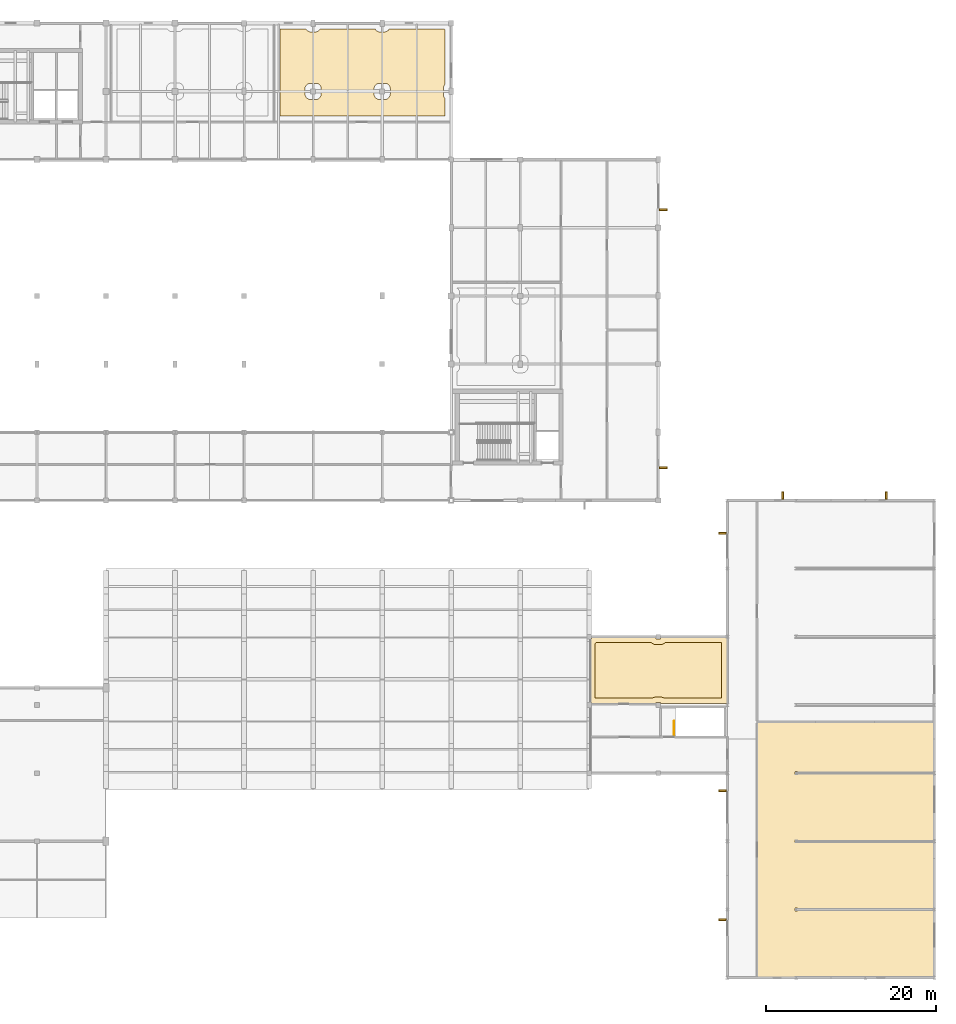
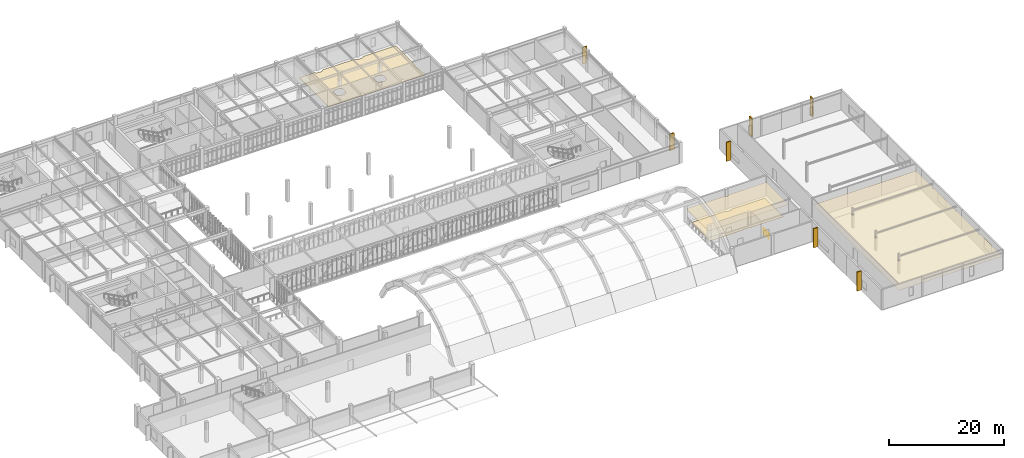
# One storey, part 67 of 67: 7 shading devices, 4 coverings, 1 railing.
"""IFC4 building model written with IfcOpenShell, lengths in metres."""

from ifc_helpers import new_model, si_unit, direction, frame, origin, origin_2d, place, context, subcontext, project, spatial, polyline, rectangle, circle, outline, extrude, material, layer, layer_set, material_profile, profile_set, type_object, element, save


model = new_model("IFC4")

# Units and contexts
model_context = context("Model", 3, precision=1e-05, world=origin(), true_north=direction((0.0, 1.0)))
body_context = subcontext(model_context, "Body", "Model", "MODEL_VIEW")
ifc_project = project(units=[si_unit("LENGTHUNIT", "METRE"), si_unit("AREAUNIT", "SQUARE_METRE"), si_unit("VOLUMEUNIT", "CUBIC_METRE"), si_unit("PLANEANGLEUNIT", "RADIAN"), si_unit("MASSUNIT", "GRAM", prefix="KILO")], contexts=[model_context])

# Site, building, storey
site_placement = place(None, origin())
site = spatial("IfcSite", under=ifc_project, at=site_placement, CompositionType="ELEMENT")
building_placement = place(site_placement, origin())
building = spatial("IfcBuilding", under=site, at=building_placement, Name="Tarnveldt Square Police Headquarters", CompositionType="ELEMENT")
storey_placement = place(building_placement, frame((0.0, 0.0, 10.199951171875)))
storey = spatial("IfcBuildingStorey", under=building, at=storey_placement, Name="L02", CompositionType="ELEMENT", Elevation=10.199951171875)

# Coverings
ifc_material_1 = material(Name="Mineral-fibre acoustic ceiling tile", Category="gypsum")
ifc_layer_1 = layer(ifc_material_1, 0.02001953125)
ifc_layer_set_1 = layer_set([ifc_layer_1], Name="Mineral-fibre acoustic ceiling tile")
covering_type_1 = type_object("IfcCoveringType", Name="COV-CEIL-20", PredefinedType="CEILING", material=ifc_layer_set_1)
covering_1_placement = place(storey_placement, frame((0.0, 0.0, 2.75)))
element("IfcCovering", 1, at=covering_1_placement, inside=storey, type_object=covering_type_1, Name="Use-of-Force Classroom Briefing Room Acoustic Ceiling", PredefinedType="CEILING", context=body_context, shape_type="SweptSolid", body=[
    extrude(outline(polyline([(137.64990234375, 32.16357421875), (137.54345703125, 32.16357421875), (137.54345703125, 32.14990234375), (129.876953125, 32.14990234375), (129.876953125, 32.277099609375), (129.322998046875, 32.277099609375), (129.322998046875, 32.14990234375), (121.777099609375, 32.14990234375), (121.777099609375, 32.277099609375), (121.550048828125, 32.277099609375), (121.550048828125, 39.722900390625), (121.777099609375, 39.722900390625), (121.777099609375, 39.949951171875), (129.322998046875, 39.949951171875), (129.322998046875, 39.722900390625), (129.876953125, 39.722900390625), (129.876953125, 39.949951171875), (137.54345703125, 39.949951171875), (137.54345703125, 39.83642578125), (137.64990234375, 39.83642578125), (137.64990234375, 32.16357421875)])), origin(), (0.0, 0.0, 1.0), 0.02001953125),
])
covering_2_placement = place(storey_placement, frame((0.0, 0.0, 2.75)))
element("IfcCovering", 2, at=covering_2_placement, inside=storey, type_object=covering_type_1, Name="Defensive Tactics Mat Gymnasium Acoustic Ceiling", PredefinedType="CEILING", context=body_context, shape_type="SweptSolid", body=[
    extrude(outline(polyline([(161.949951171875, 0.16357421875), (161.843505859375, 0.16357421875), (161.843505859375, 0.050048828125), (154.056396484375, 0.050048828125), (154.056396484375, 0.16357421875), (153.743408203125, 0.16357421875), (153.743408203125, 0.050048828125), (145.95654296875, 0.050048828125), (145.95654296875, 0.16357421875), (145.6435546875, 0.16357421875), (145.6435546875, 0.050048828125), (141.25, 0.050048828125), (141.25, 29.949951171875), (161.949951171875, 29.949951171875), (161.949951171875, 24.16357421875), (161.843505859375, 24.16357421875), (161.843505859375, 23.83642578125), (161.949951171875, 23.83642578125), (161.949951171875, 16.16357421875), (161.843505859375, 16.16357421875), (161.843505859375, 15.83642578125), (161.949951171875, 15.83642578125), (161.949951171875, 8.16357421875), (161.843505859375, 8.16357421875), (161.843505859375, 7.83642578125), (161.949951171875, 7.83642578125), (161.949951171875, 0.16357421875)]), holes=[polyline([(145.95654296875, 8.16357421875), (145.6435546875, 8.16357421875), (145.6435546875, 7.83642578125), (145.95654296875, 7.83642578125), (145.95654296875, 8.16357421875)]), polyline([(145.95654296875, 16.16357421875), (145.6435546875, 16.16357421875), (145.6435546875, 15.83642578125), (145.95654296875, 15.83642578125), (145.95654296875, 16.16357421875)]), polyline([(145.95654296875, 24.16357421875), (145.6435546875, 24.16357421875), (145.6435546875, 23.83642578125), (145.95654296875, 23.83642578125), (145.95654296875, 24.16357421875)])]), origin(), (0.0, 0.0, 1.0), 0.02001953125),
])
ifc_material_2 = material(Name="Polished cementitious terrazzo flooring", Category="concrete")
ifc_layer_2 = layer(ifc_material_2, 0.02490234375)
ifc_layer_set_2 = layer_set([ifc_layer_2], Name="Polished cementitious terrazzo flooring")
covering_type_2 = type_object("IfcCoveringType", Name="COV-FLR-25", PredefinedType="FLOORING", material=ifc_layer_set_2)
covering_3_placement = place(storey_placement, origin())
element("IfcCovering", 3, at=covering_3_placement, inside=storey, type_object=covering_type_2, Name="Use-of-Force Classroom Briefing Room Terrazzo Finish Flooring", PredefinedType="FLOORING", context=body_context, shape_type="SweptSolid", body=[
    extrude(outline(polyline([(122.199951171875, 39.230224609375), (122.236572265625, 39.263427734375), (122.269775390625, 39.300048828125), (128.830078125, 39.300048828125), (128.86328125, 39.263427734375), (128.91064453125, 39.220458984375), (128.9619140625, 39.1826171875), (129.0166015625, 39.149658203125), (129.07421875, 39.12255859375), (129.13427734375, 39.10107421875), (129.1962890625, 39.08544921875), (129.25927734375, 39.076171875), (129.322998046875, 39.072998046875), (129.876953125, 39.072998046875), (129.940673828125, 39.076171875), (130.00390625, 39.08544921875), (130.065673828125, 39.10107421875), (130.125732421875, 39.12255859375), (130.183349609375, 39.149658203125), (130.238037109375, 39.1826171875), (130.289306640625, 39.220458984375), (130.336669921875, 39.263427734375), (130.369873046875, 39.300048828125), (137.0, 39.300048828125), (137.0, 32.800048828125), (130.26171875, 32.800048828125), (130.238037109375, 32.8173828125), (130.183349609375, 32.850341796875), (130.125732421875, 32.87744140625), (130.065673828125, 32.89892578125), (130.00390625, 32.91455078125), (129.940673828125, 32.923828125), (129.876953125, 32.927001953125), (129.322998046875, 32.927001953125), (129.25927734375, 32.923828125), (129.1962890625, 32.91455078125), (129.13427734375, 32.89892578125), (129.07421875, 32.87744140625), (129.0166015625, 32.850341796875), (128.9619140625, 32.8173828125), (128.938232421875, 32.800048828125), (122.199951171875, 32.800048828125), (122.199951171875, 39.230224609375)])), origin(), (0.0, 0.0, 1.0), 0.025146484375),
])
covering_4_placement = place(storey_placement, origin())
element("IfcCovering", 4, at=covering_4_placement, inside=storey, type_object=covering_type_2, Name="Mass Spectrometry Analytical Laboratory Terrazzo Finish Flooring", PredefinedType="FLOORING", context=body_context, shape_type="SweptSolid", body=[
    extrude(outline(polyline([(88.28466796875, 111.300048828125), (88.3076171875, 111.261962890625), (88.345458984375, 111.210693359375), (88.388427734375, 111.163330078125), (88.435546875, 111.12060546875), (88.48681640625, 111.08251953125), (88.54150390625, 111.0498046875), (88.599365234375, 111.0224609375), (88.659423828125, 111.0009765625), (88.72119140625, 110.985595703125), (88.7841796875, 110.97607421875), (88.847900390625, 110.972900390625), (89.35205078125, 110.972900390625), (89.415771484375, 110.97607421875), (89.478759765625, 110.985595703125), (89.540771484375, 111.0009765625), (89.600830078125, 111.0224609375), (89.658447265625, 111.0498046875), (89.713134765625, 111.08251953125), (89.764404296875, 111.12060546875), (89.8115234375, 111.163330078125), (89.8544921875, 111.210693359375), (89.892333984375, 111.261962890625), (89.915283203125, 111.300048828125), (96.384765625, 111.300048828125), (96.407470703125, 111.261962890625), (96.445556640625, 111.210693359375), (96.48828125, 111.163330078125), (96.53564453125, 111.12060546875), (96.5869140625, 111.08251953125), (96.6416015625, 111.0498046875), (96.69921875, 111.0224609375), (96.75927734375, 111.0009765625), (96.8212890625, 110.985595703125), (96.88427734375, 110.97607421875), (96.947998046875, 110.972900390625), (97.451904296875, 110.972900390625), (97.515625, 110.97607421875), (97.578857421875, 110.985595703125), (97.640625, 111.0009765625), (97.70068359375, 111.0224609375), (97.75830078125, 111.0498046875), (97.813232421875, 111.08251953125), (97.8642578125, 111.12060546875), (97.91162109375, 111.163330078125), (97.954345703125, 111.210693359375), (97.992431640625, 111.261962890625), (98.015380859375, 111.300048828125), (104.48486328125, 111.300048828125), (104.49560546875, 111.28564453125), (104.538330078125, 111.23828125), (104.585693359375, 111.195556640625), (104.60009765625, 111.184814453125), (104.60009765625, 104.84716796875), (104.58837890625, 104.836669921875), (104.545654296875, 104.789306640625), (104.507568359375, 104.738037109375), (104.474853515625, 104.683349609375), (104.447509765625, 104.625732421875), (104.426025390625, 104.565673828125), (104.410400390625, 104.50390625), (104.401123046875, 104.440673828125), (104.39794921875, 104.376953125), (104.39794921875, 103.623046875), (104.401123046875, 103.559326171875), (104.410400390625, 103.49609375), (104.426025390625, 103.434326171875), (104.447509765625, 103.374267578125), (104.474853515625, 103.316650390625), (104.507568359375, 103.261962890625), (104.545654296875, 103.210693359375), (104.58837890625, 103.163330078125), (104.60009765625, 103.15283203125), (104.60009765625, 101.10009765625), (85.199951171875, 101.10009765625), (85.199951171875, 111.300048828125), (88.28466796875, 111.300048828125)]), holes=[polyline([(96.89794921875, 104.951904296875), (96.834228515625, 104.948974609375), (96.771240234375, 104.939453125), (96.709228515625, 104.924072265625), (96.649169921875, 104.902587890625), (96.591552734375, 104.875244140625), (96.536865234375, 104.842529296875), (96.485595703125, 104.804443359375), (96.4384765625, 104.76171875), (96.3955078125, 104.71435546875), (96.357666015625, 104.6630859375), (96.32470703125, 104.6083984375), (96.29736328125, 104.55078125), (96.27587890625, 104.49072265625), (96.260498046875, 104.4287109375), (96.251220703125, 104.36572265625), (96.248046875, 104.302001953125), (96.248046875, 103.697998046875), (96.251220703125, 103.63427734375), (96.260498046875, 103.5712890625), (96.27587890625, 103.50927734375), (96.29736328125, 103.44921875), (96.32470703125, 103.3916015625), (96.357666015625, 103.3369140625), (96.3955078125, 103.28564453125), (96.4384765625, 103.23828125), (96.485595703125, 103.195556640625), (96.536865234375, 103.157470703125), (96.591552734375, 103.124755859375), (96.649169921875, 103.097412109375), (96.709228515625, 103.075927734375), (96.771240234375, 103.060546875), (96.834228515625, 103.051025390625), (96.89794921875, 103.048095703125), (97.501953125, 103.048095703125), (97.565673828125, 103.051025390625), (97.62890625, 103.060546875), (97.690673828125, 103.075927734375), (97.750732421875, 103.097412109375), (97.808349609375, 103.124755859375), (97.863037109375, 103.157470703125), (97.914306640625, 103.195556640625), (97.961669921875, 103.23828125), (98.00439453125, 103.28564453125), (98.04248046875, 103.3369140625), (98.0751953125, 103.3916015625), (98.1025390625, 103.44921875), (98.1240234375, 103.50927734375), (98.139404296875, 103.5712890625), (98.14892578125, 103.63427734375), (98.152099609375, 103.697998046875), (98.152099609375, 104.302001953125), (98.14892578125, 104.36572265625), (98.139404296875, 104.4287109375), (98.1240234375, 104.49072265625), (98.1025390625, 104.55078125), (98.0751953125, 104.6083984375), (98.04248046875, 104.6630859375), (98.00439453125, 104.71435546875), (97.961669921875, 104.76171875), (97.914306640625, 104.804443359375), (97.863037109375, 104.842529296875), (97.808349609375, 104.875244140625), (97.750732421875, 104.902587890625), (97.690673828125, 104.924072265625), (97.62890625, 104.939453125), (97.565673828125, 104.948974609375), (97.501953125, 104.951904296875), (96.89794921875, 104.951904296875)]), polyline([(90.052001953125, 104.302001953125), (90.048828125, 104.36572265625), (90.03955078125, 104.4287109375), (90.02392578125, 104.49072265625), (90.00244140625, 104.55078125), (89.975341796875, 104.6083984375), (89.9423828125, 104.6630859375), (89.904541015625, 104.71435546875), (89.861572265625, 104.76171875), (89.814453125, 104.804443359375), (89.76318359375, 104.842529296875), (89.70849609375, 104.875244140625), (89.650634765625, 104.902587890625), (89.590576171875, 104.924072265625), (89.52880859375, 104.939453125), (89.4658203125, 104.948974609375), (89.402099609375, 104.951904296875), (88.798095703125, 104.951904296875), (88.734375, 104.948974609375), (88.671142578125, 104.939453125), (88.609375, 104.924072265625), (88.54931640625, 104.902587890625), (88.49169921875, 104.875244140625), (88.436767578125, 104.842529296875), (88.3857421875, 104.804443359375), (88.33837890625, 104.76171875), (88.295654296875, 104.71435546875), (88.257568359375, 104.6630859375), (88.224853515625, 104.6083984375), (88.197509765625, 104.55078125), (88.176025390625, 104.49072265625), (88.160400390625, 104.4287109375), (88.151123046875, 104.36572265625), (88.14794921875, 104.302001953125), (88.14794921875, 103.697998046875), (88.151123046875, 103.63427734375), (88.160400390625, 103.5712890625), (88.176025390625, 103.50927734375), (88.197509765625, 103.44921875), (88.224853515625, 103.3916015625), (88.257568359375, 103.3369140625), (88.295654296875, 103.28564453125), (88.33837890625, 103.23828125), (88.3857421875, 103.195556640625), (88.436767578125, 103.157470703125), (88.49169921875, 103.124755859375), (88.54931640625, 103.097412109375), (88.609375, 103.075927734375), (88.671142578125, 103.060546875), (88.734375, 103.051025390625), (88.798095703125, 103.048095703125), (89.402099609375, 103.048095703125), (89.4658203125, 103.051025390625), (89.52880859375, 103.060546875), (89.590576171875, 103.075927734375), (89.650634765625, 103.097412109375), (89.70849609375, 103.124755859375), (89.76318359375, 103.157470703125), (89.814453125, 103.195556640625), (89.861572265625, 103.23828125), (89.904541015625, 103.28564453125), (89.9423828125, 103.3369140625), (89.975341796875, 103.3916015625), (90.00244140625, 103.44921875), (90.02392578125, 103.50927734375), (90.03955078125, 103.5712890625), (90.048828125, 103.63427734375), (90.052001953125, 103.697998046875), (90.052001953125, 104.302001953125)])]), origin(), (0.0, 0.0, 1.0), 0.025146484375),
])

# Railing
ifc_material_3 = material(Name="Steel 350W", Category="steel")
railing_type = type_object("IfcRailingType", Name="RL-GR-1100", PredefinedType="GUARDRAIL", material=ifc_material_3)
railing_placement = place(storey_placement, frame((131.469970703125, 28.3798828125, 0.0)))
element("IfcRailing", 5, at=railing_placement, inside=storey, type_object=railing_type, Name="L02 ST7 top well guard 1", PredefinedType="GUARDRAIL", context=body_context, shape_type="SweptSolid", body=[
    extrude(circle(Radius=0.02392578125, at=origin_2d()), frame((0.0, 0.0, 1.076171875), z_axis=(0.0, 1.0, 0.0), x_axis=(-1.0, 0.0, 0.0)), (0.0, 0.0, 1.0), 1.72021484375),
    extrude(circle(Radius=0.02099609375, at=origin_2d()), origin(), (0.0, 0.0, 1.0), 1.052001953125),
    extrude(circle(Radius=0.02099609375, at=origin_2d()), frame((0.0, 0.860107421875, 0.0)), (0.0, 0.0, 1.0), 1.052001953125),
    extrude(circle(Radius=0.02099609375, at=origin_2d()), frame((0.0, 1.72021484375, 0.0)), (0.0, 0.0, 1.0), 1.052001953125),
])

# Shading devices
ifc_material_4 = material(Name="Precast concrete 35 MPa", Category="concrete")
ifc_material_profile = material_profile(ifc_material_4, rectangle(XDim=0.219970703125, YDim=0.89990234375, at=origin_2d()), Name="PC-FIN220x900")
ifc_profile_set = profile_set([ifc_material_profile], Name="Precast concrete 35 MPa")
shading_device_type = type_object("IfcShadingDeviceType", Name="SHD-FIN-900", PredefinedType="USERDEFINED", material=ifc_profile_set)
for number, where, z_axis, x_axis, name in (
    (6, (130.18994140625, 59.85009765625, 0.150146484375), (0.0, 0.0, 1.0), (0.0, 1.0, 0.0), "L02 Precast Deep-Reveal Brutalist Fin 023"),
    (7, (130.18994140625, 90.11669921875, 0.150146484375), (0.0, 0.0, 1.0), (0.0, 1.0, 0.0), "L02 Precast Deep-Reveal Brutalist Fin 024"),
):
    element("IfcShadingDevice", number, at=place(storey_placement, frame(where, z_axis=z_axis, x_axis=x_axis)), inside=storey, type_object=shading_device_type, Name=name, ObjectType="SOLAR SHADING FIN", PredefinedType="USERDEFINED", context=body_context, shape_type="SweptSolid", body=[
        extrude(rectangle(XDim=0.219970703125, YDim=0.89990234375, at=origin_2d()), origin(), (0.0, 0.0, 1.0), 3.531982421875),
    ])
for number, where, z_axis, x_axis, name in (
    (8, (156.35009765625, 56.580078125, 0.150146484375), (0.0, 0.0, 1.0), (-1.0, 0.0, 0.0), "L02 Precast Deep-Reveal Brutalist Fin 032"),
    (9, (144.199951171875, 56.580078125, 0.150146484375), (0.0, 0.0, 1.0), (-1.0, 0.0, 0.0), "L02 Precast Deep-Reveal Brutalist Fin 033"),
    (10, (137.1201171875, 52.14990234375, 0.150146484375), (0.0, 0.0, 1.0), (0.0, -1.0, 0.0), "L02 Precast Deep-Reveal Brutalist Fin 034"),
    (11, (137.1201171875, 21.949951171875, 0.150146484375), (0.0, 0.0, 1.0), (0.0, -1.0, 0.0), "L02 Precast Deep-Reveal Brutalist Fin 035"),
    (12, (137.1201171875, 6.800048828125, 0.150146484375), (0.0, 0.0, 1.0), (0.0, -1.0, 0.0), "L02 Precast Deep-Reveal Brutalist Fin 036"),
):
    element("IfcShadingDevice", number, at=place(storey_placement, frame(where, z_axis=z_axis, x_axis=x_axis)), inside=storey, type_object=shading_device_type, Name=name, ObjectType="SOLAR SHADING FIN", PredefinedType="USERDEFINED", context=body_context, shape_type="SweptSolid", body=[
        extrude(rectangle(XDim=0.219970703125, YDim=0.89990234375, at=origin_2d()), origin(), (0.0, 0.0, 1.0), 4.039794921875),
    ])

save(model, "model.ifc")
